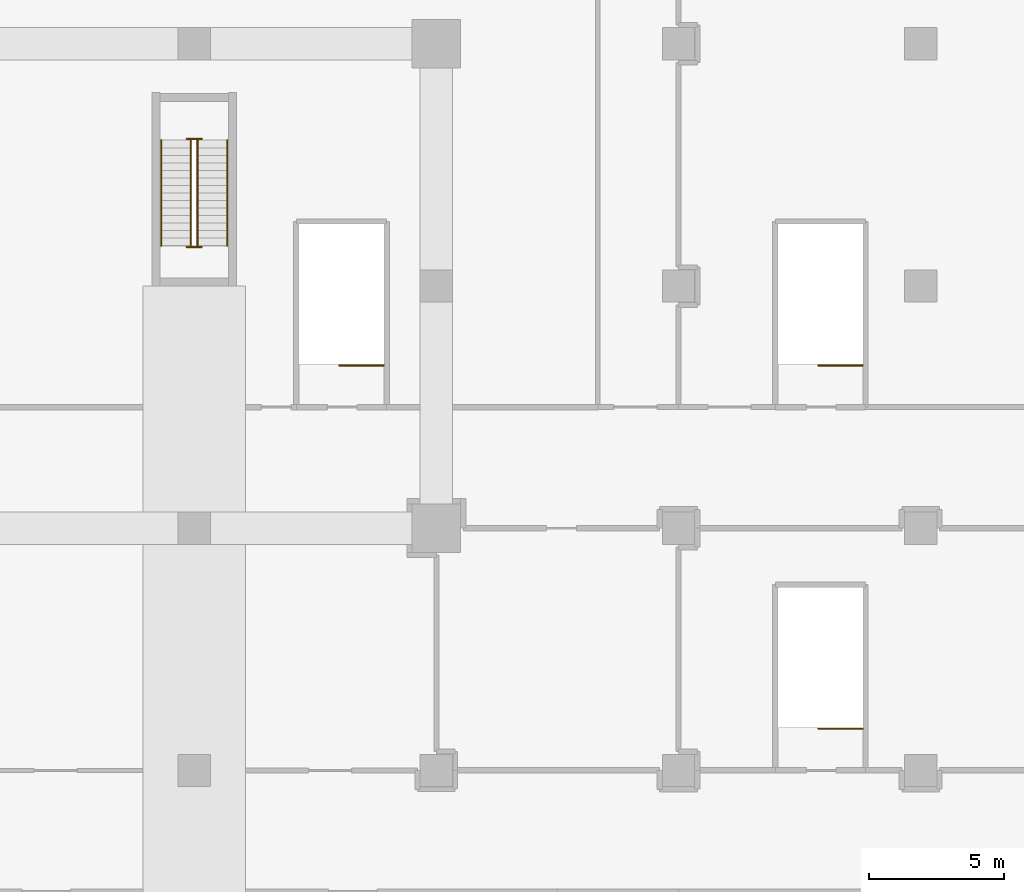
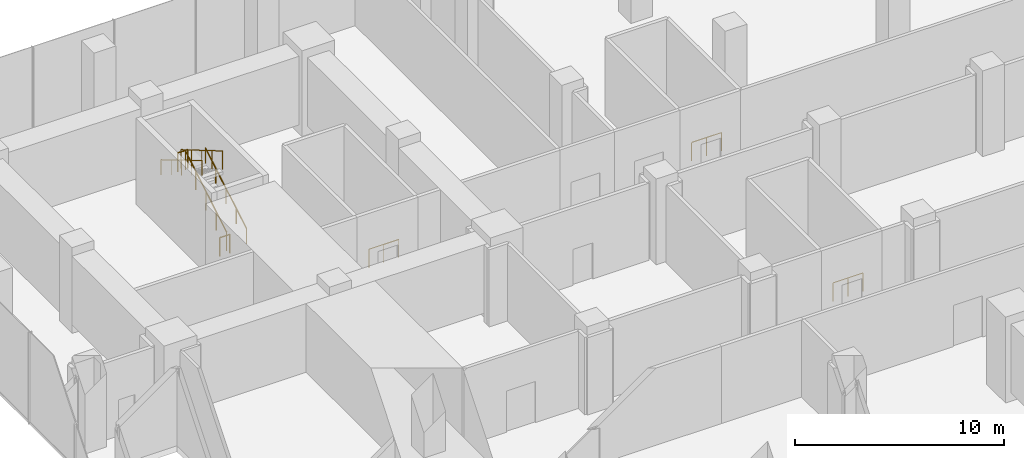
# One storey, part 35 of 36: 9 railings.
"""IFC4 building model written with IfcOpenShell, lengths in metres."""

from ifc_helpers import new_model, si_unit, direction, frame, origin, origin_2d, place, context, subcontext, project, spatial, circle, extrude, material, type_object, element, save


model = new_model("IFC4")

# Units and contexts
model_context = context("Model", 3, precision=1e-05, world=origin(), true_north=direction((0.0, 1.0)))
body_context = subcontext(model_context, "Body", "Model", "MODEL_VIEW")
ifc_project = project(units=[si_unit("LENGTHUNIT", "METRE"), si_unit("AREAUNIT", "SQUARE_METRE"), si_unit("VOLUMEUNIT", "CUBIC_METRE"), si_unit("PLANEANGLEUNIT", "RADIAN"), si_unit("MASSUNIT", "GRAM", prefix="KILO")], contexts=[model_context])

# Site, building, storey
site_placement = place(None, origin())
site = spatial("IfcSite", under=ifc_project, at=site_placement, CompositionType="ELEMENT")
building_placement = place(site_placement, origin())
building = spatial("IfcBuilding", under=site, at=building_placement, Name="Plateau Cross Towers", CompositionType="ELEMENT")
storey_placement = place(building_placement, frame((0.0, 0.0, 21.800048828125)))
storey = spatial("IfcBuildingStorey", under=building, at=storey_placement, Name="L04", CompositionType="ELEMENT", Elevation=21.800048828125)

# Railings
ifc_material_1 = material(Name="Stainless steel and toughened glass", Category="steel")
railing_type_1 = type_object("IfcRailingType", Name="RL-GUARD-1100", PredefinedType="GUARDRAIL", material=ifc_material_1)
railing_1_placement = place(storey_placement, frame((9.125, 46.5, 0.16650390625)))
element("IfcRailing", 1, at=railing_1_placement, inside=storey, type_object=railing_type_1, Name="L04 ES-N stair guard 1", PredefinedType="GUARDRAIL", context=body_context, shape_type="SweptSolid", body=[
    extrude(circle(Radius=0.02392578125, at=origin_2d()), frame((0.0, 0.0, 1.076171875), z_axis=(0.0, 0.859272722373, 0.511517730471), x_axis=(-1.0, 0.0, 0.0)), (0.0, 0.0, 1.0), 4.56201171875),
    extrude(circle(Radius=0.02099609375, at=origin_2d()), origin(), (0.0, 0.0, 1.0), 1.052001953125),
    extrude(circle(Radius=0.02099609375, at=origin_2d()), frame((0.0, 0.97998046875, 0.58349609375)), (0.0, 0.0, 1.0), 1.052001953125),
    extrude(circle(Radius=0.02099609375, at=origin_2d()), frame((0.0, 1.9599609375, 1.166748046875)), (0.0, 0.0, 1.0), 1.052001953125),
    extrude(circle(Radius=0.02099609375, at=origin_2d()), frame((0.0, 2.93994140625, 1.75)), (0.0, 0.0, 1.0), 1.052001953125),
    extrude(circle(Radius=0.02099609375, at=origin_2d()), frame((0.0, 3.919921875, 2.33349609375)), (0.0, 0.0, 1.0), 1.052001953125),
])
railing_2_placement = place(storey_placement, frame((9.27490234375, 50.469970703125, 2.5)))
element("IfcRailing", 2, at=railing_2_placement, inside=storey, type_object=railing_type_1, Name="L04 ES-N stair guard 2", PredefinedType="GUARDRAIL", context=body_context, shape_type="SweptSolid", body=[
    extrude(circle(Radius=0.02392578125, at=origin_2d()), frame((0.0, 0.0, 1.076171875), z_axis=(-1.0, 0.0, 0.0), x_axis=(0.0, -1.0, 0.0)), (0.0, 0.0, 1.0), 0.5498046875),
    extrude(circle(Radius=0.02099609375, at=origin_2d()), origin(), (0.0, 0.0, 1.0), 1.052001953125),
    extrude(circle(Radius=0.02099609375, at=origin_2d()), frame((-0.5498046875, 0.0, 0.0)), (0.0, 0.0, 1.0), 1.052001953125),
])
railing_3_placement = place(storey_placement, frame((8.875, 50.419921875, 2.66650390625)))
element("IfcRailing", 3, at=railing_3_placement, inside=storey, type_object=railing_type_1, Name="L04 ES-N stair guard 3", PredefinedType="GUARDRAIL", context=body_context, shape_type="SweptSolid", body=[
    extrude(circle(Radius=0.02392578125, at=origin_2d()), frame((0.0, 0.0, 1.076171875), z_axis=(0.0, -0.862103166253, 0.506732800138), x_axis=(1.0, 0.0, 0.0)), (0.0, 0.0, 1.0), 4.60498046875),
    extrude(circle(Radius=0.02099609375, at=origin_2d()), origin(), (0.0, 0.0, 1.0), 1.052001953125),
    extrude(circle(Radius=0.02099609375, at=origin_2d()), frame((0.0, -0.992431640625, 0.58349609375)), (0.0, 0.0, 1.0), 1.052001953125),
    extrude(circle(Radius=0.02099609375, at=origin_2d()), frame((0.0, -1.98486328125, 1.166748046875)), (0.0, 0.0, 1.0), 1.052001953125),
    extrude(circle(Radius=0.02099609375, at=origin_2d()), frame((0.0, -2.9775390625, 1.75)), (0.0, 0.0, 1.0), 1.052001953125),
    extrude(circle(Radius=0.02099609375, at=origin_2d()), frame((0.0, -3.969970703125, 2.33349609375)), (0.0, 0.0, 1.0), 1.052001953125),
])
railing_4_placement = place(storey_placement, frame((9.27490234375, 46.449951171875, 0.0)))
element("IfcRailing", 4, at=railing_4_placement, inside=storey, type_object=railing_type_1, Name="L04 ES-N stair guard 4", PredefinedType="GUARDRAIL", context=body_context, shape_type="SweptSolid", body=[
    extrude(circle(Radius=0.02392578125, at=origin_2d()), frame((0.0, 0.0, 1.076171875), z_axis=(-1.0, 0.0, 0.0), x_axis=(0.0, -1.0, 0.0)), (0.0, 0.0, 1.0), 0.5498046875),
    extrude(circle(Radius=0.02099609375, at=origin_2d()), origin(), (0.0, 0.0, 1.0), 1.052001953125),
    extrude(circle(Radius=0.02099609375, at=origin_2d()), frame((-0.5498046875, 0.0, 0.0)), (0.0, 0.0, 1.0), 1.052001953125),
])
for number, where, name in (
    (5, (33.85009765625, 28.550048828125, 0.0), "L04 PS1 top well guard 1"),
    (6, (33.85009765625, 42.050048828125, 0.0), "L04 PS2 top well guard 1"),
    (7, (16.050048828125, 42.050048828125, 0.0), "L04 PS6 top well guard 1"),
):
    element("IfcRailing", number, at=place(storey_placement, frame(where)), inside=storey, type_object=railing_type_1, Name=name, PredefinedType="GUARDRAIL", context=body_context, shape_type="SweptSolid", body=[
        extrude(circle(Radius=0.02392578125, at=origin_2d()), frame((0.0, 0.0, 1.076171875), z_axis=(-1.0, 0.0, 0.0), x_axis=(0.0, -1.0, 0.0)), (0.0, 0.0, 1.0), 1.650146484375),
        extrude(circle(Radius=0.02099609375, at=origin_2d()), origin(), (0.0, 0.0, 1.0), 1.052001953125),
        extrude(circle(Radius=0.02099609375, at=origin_2d()), frame((-0.8251953125, 0.0, 0.0)), (0.0, 0.0, 1.0), 1.052001953125),
        extrude(circle(Radius=0.02099609375, at=origin_2d()), frame((-1.650146484375, 0.0, 0.0)), (0.0, 0.0, 1.0), 1.052001953125),
    ])
ifc_material_2 = material(Name="Black anodised aluminium", Category="aluminium")
railing_type_2 = type_object("IfcRailingType", Name="RL-HANDRAIL-900", PredefinedType="HANDRAIL", material=ifc_material_2)
railing_5_placement = place(storey_placement, frame((10.22509765625, 46.5, 0.16650390625)))
element("IfcRailing", 8, at=railing_5_placement, inside=storey, type_object=railing_type_2, Name="L04 ES-N stair handrail 1", PredefinedType="HANDRAIL", context=body_context, shape_type="SweptSolid", body=[
    extrude(circle(Radius=0.02392578125, at=origin_2d()), frame((0.0, 0.0, 0.8759765625), z_axis=(0.0, 0.859272722373, 0.511517730471), x_axis=(-1.0, 0.0, 0.0)), (0.0, 0.0, 1.0), 4.56201171875),
    extrude(circle(Radius=0.02099609375, at=origin_2d()), origin(), (0.0, 0.0, 1.0), 0.851806640625),
    extrude(circle(Radius=0.02099609375, at=origin_2d()), frame((0.0, 0.97998046875, 0.58349609375)), (0.0, 0.0, 1.0), 0.851806640625),
    extrude(circle(Radius=0.02099609375, at=origin_2d()), frame((0.0, 1.9599609375, 1.166748046875)), (0.0, 0.0, 1.0), 0.851806640625),
    extrude(circle(Radius=0.02099609375, at=origin_2d()), frame((0.0, 2.93994140625, 1.75)), (0.0, 0.0, 1.0), 0.851806640625),
    extrude(circle(Radius=0.02099609375, at=origin_2d()), frame((0.0, 3.919921875, 2.33349609375)), (0.0, 0.0, 1.0), 0.851806640625),
])
railing_6_placement = place(storey_placement, frame((7.77490234375, 50.419921875, 2.66650390625)))
element("IfcRailing", 9, at=railing_6_placement, inside=storey, type_object=railing_type_2, Name="L04 ES-N stair handrail 2", PredefinedType="HANDRAIL", context=body_context, shape_type="SweptSolid", body=[
    extrude(circle(Radius=0.02392578125, at=origin_2d()), frame((0.0, 0.0, 0.8759765625), z_axis=(0.0, -0.859272722373, 0.511517730471), x_axis=(1.0, 0.0, 0.0)), (0.0, 0.0, 1.0), 4.56201171875),
    extrude(circle(Radius=0.02099609375, at=origin_2d()), origin(), (0.0, 0.0, 1.0), 0.851806640625),
    extrude(circle(Radius=0.02099609375, at=origin_2d()), frame((0.0, -0.97998046875, 0.58349609375)), (0.0, 0.0, 1.0), 0.851806640625),
    extrude(circle(Radius=0.02099609375, at=origin_2d()), frame((0.0, -1.9599609375, 1.166748046875)), (0.0, 0.0, 1.0), 0.851806640625),
    extrude(circle(Radius=0.02099609375, at=origin_2d()), frame((0.0, -2.93994140625, 1.75)), (0.0, 0.0, 1.0), 0.851806640625),
    extrude(circle(Radius=0.02099609375, at=origin_2d()), frame((0.0, -3.919921875, 2.33349609375)), (0.0, 0.0, 1.0), 0.851806640625),
])

save(model, "model.ifc")
